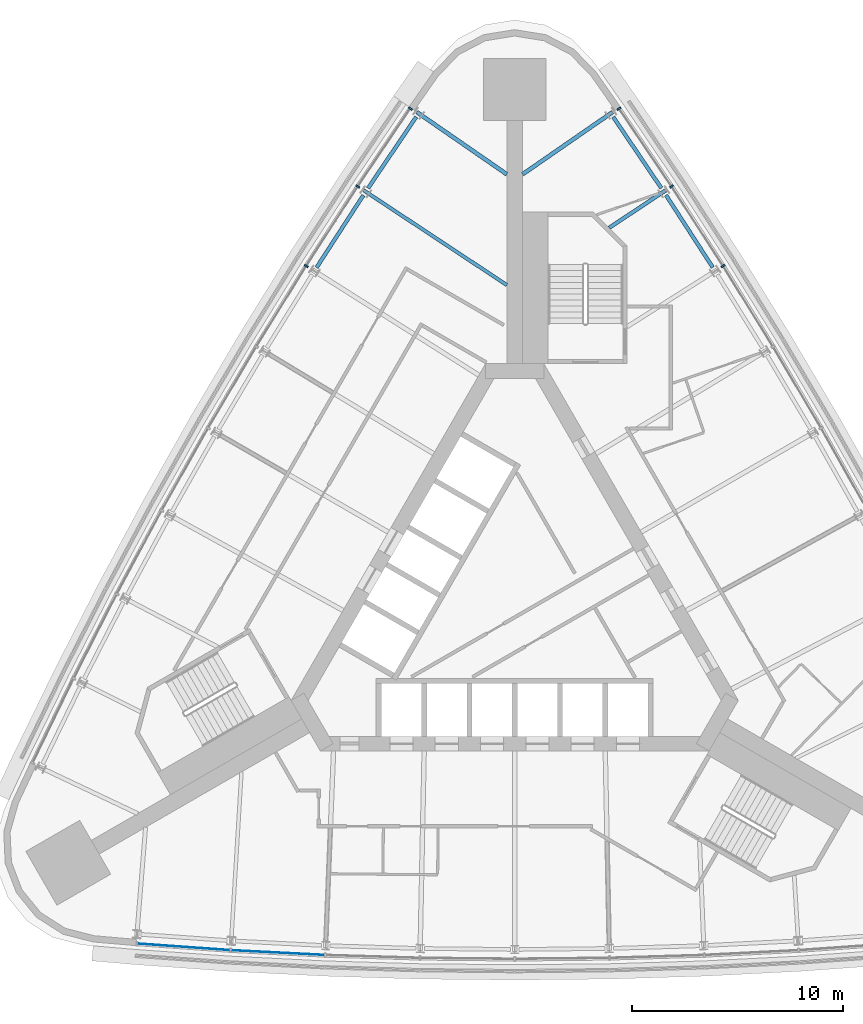
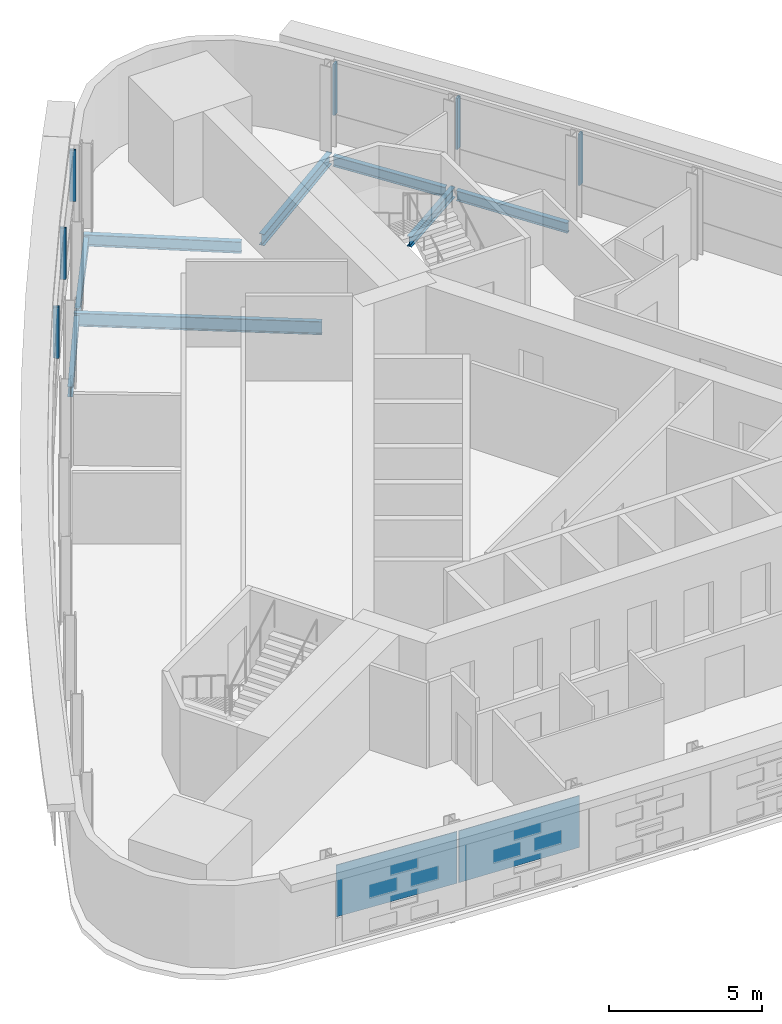
# One storey, part 5 of 11: 8 beams, 6 members, 2 plates, 3 elements without a shape of their own.
"""IFC4 building model written with IfcOpenShell, lengths in metres."""

from ifc_helpers import new_model, si_unit, direction, frame, origin, origin_2d, place, context, subcontext, project, spatial, rectangle, i_section, extrude, material, layer, layer_set, material_profile, profile_set, type_object, element, aggregate, save


model = new_model("IFC4")

# Units and contexts
model_context = context("Model", 3, precision=1e-05, world=origin(), true_north=direction((0.0, 1.0)))
body_context = subcontext(model_context, "Body", "Model", "MODEL_VIEW")
ifc_project = project(units=[si_unit("LENGTHUNIT", "METRE"), si_unit("AREAUNIT", "SQUARE_METRE"), si_unit("VOLUMEUNIT", "CUBIC_METRE"), si_unit("PLANEANGLEUNIT", "RADIAN"), si_unit("MASSUNIT", "GRAM", prefix="KILO")], contexts=[model_context])

# Site, building, storey
site_placement = place(None, origin())
site = spatial("IfcSite", under=ifc_project, at=site_placement, CompositionType="ELEMENT")
building_placement = place(site_placement, origin())
building = spatial("IfcBuilding", under=site, at=building_placement, Name="Noor Cloister Tower", CompositionType="ELEMENT")
storey_placement = place(building_placement, frame((0.0, 0.0, 116.699951171875)))
storey = spatial("IfcBuildingStorey", under=building, at=storey_placement, Name="L30", CompositionType="ELEMENT", Elevation=116.699951171875)

# Curtain wall, members
ifc_material_1 = material(Name="Aluminium 6063-T6 anodised", Category="aluminium")
curtain_wall_type = type_object("IfcCurtainWallType", Name="Ribbon curtain wall, lower tower CW1", PredefinedType="NOTDEFINED", material=ifc_material_1)
curtain_wall_1_placement = place(storey_placement, origin())
curtain_wall_1 = element("IfcCurtainWall", 1, at=curtain_wall_1_placement, inside=storey, type_object=curtain_wall_type, Name="CW1 L30 NW run 1", PredefinedType="NOTDEFINED")
ifc_material_2 = material(Name="Aluminium 6063-T6 anodised", Category="aluminium")
ifc_material_profile_1 = material_profile(ifc_material_2, rectangle(XDim=0.199951171875, YDim=0.080078125, at=origin_2d()), Name="200 x 80 mullion")
ifc_profile_set_1 = profile_set([ifc_material_profile_1], Name="Aluminium 6063-T6 anodised")
member_type = type_object("IfcMemberType", Name="Mullion CW1 80 x 200", PredefinedType="MULLION", material=ifc_profile_set_1)
member_1_placement = place(storey_placement, frame((-4.9521484375, 23.566650390625, 1.10009765625), z_axis=(0.0, 0.0, 1.0), x_axis=(0.828355501592, -0.560202787374, 0.0)))
member_1 = element("IfcMember", 2, at=member_1_placement, type_object=member_type, Name="CW1 mullion 1", PredefinedType="MULLION", context=body_context, shape_type="SweptSolid", body=[
    extrude(rectangle(XDim=0.199951171875, YDim=0.080078125, at=origin_2d()), origin(), (0.0, 0.0, 1.0), 2.050048828125),
])
member_2_placement = place(storey_placement, frame((-7.449951171875, 19.873046875, 1.10009765625), z_axis=(0.0, 0.0, 1.0), x_axis=(0.833997356538, -0.551768438105, 0.0)))
member_2 = element("IfcMember", 3, at=member_2_placement, type_object=member_type, Name="CW1 mullion 2", PredefinedType="MULLION", context=body_context, shape_type="SweptSolid", body=[
    extrude(rectangle(XDim=0.199951171875, YDim=0.080078125, at=origin_2d()), origin(), (0.0, 0.0, 1.0), 2.050048828125),
])
member_3_placement = place(storey_placement, frame((-9.8935546875, 16.096923828125, 1.10009765625), z_axis=(0.0, 0.0, 1.0), x_axis=(0.845022876611, -0.534730154381, 0.0)))
member_3 = element("IfcMember", 4, at=member_3_placement, type_object=member_type, Name="CW1 mullion 3", PredefinedType="MULLION", context=body_context, shape_type="SweptSolid", body=[
    extrude(rectangle(XDim=0.199951171875, YDim=0.080078125, at=origin_2d()), origin(), (0.0, 0.0, 1.0), 2.050048828125),
])
aggregate(curtain_wall_1, [member_1, member_2, member_3])

curtain_wall_2_placement = place(storey_placement, origin())
curtain_wall_2 = element("IfcCurtainWall", 5, at=curtain_wall_2_placement, inside=storey, type_object=curtain_wall_type, Name="CW1 L30 NE run 3", PredefinedType="NOTDEFINED")
member_4_placement = place(storey_placement, frame((9.8935546875, 16.096923828125, 1.10009765625), z_axis=(0.0, 0.0, 1.0), x_axis=(-0.845022876611, -0.534730154381, 0.0)))
member_4 = element("IfcMember", 6, at=member_4_placement, type_object=member_type, Name="CW1 mullion 7", PredefinedType="MULLION", context=body_context, shape_type="SweptSolid", body=[
    extrude(rectangle(XDim=0.199951171875, YDim=0.080078125, at=origin_2d()), origin(), (0.0, 0.0, 1.0), 2.050048828125),
])
member_5_placement = place(storey_placement, frame((7.449951171875, 19.873046875, 1.10009765625), z_axis=(0.0, 0.0, 1.0), x_axis=(-0.833997356538, -0.551768438105, 0.0)))
member_5 = element("IfcMember", 7, at=member_5_placement, type_object=member_type, Name="CW1 mullion 8", PredefinedType="MULLION", context=body_context, shape_type="SweptSolid", body=[
    extrude(rectangle(XDim=0.199951171875, YDim=0.080078125, at=origin_2d()), origin(), (0.0, 0.0, 1.0), 2.050048828125),
])
member_6_placement = place(storey_placement, frame((4.9521484375, 23.566650390625, 1.10009765625), z_axis=(0.0, 0.0, 1.0), x_axis=(-0.828355501592, -0.560202787374, 0.0)))
member_6 = element("IfcMember", 8, at=member_6_placement, type_object=member_type, Name="CW1 mullion 9", PredefinedType="MULLION", context=body_context, shape_type="SweptSolid", body=[
    extrude(rectangle(XDim=0.199951171875, YDim=0.080078125, at=origin_2d()), origin(), (0.0, 0.0, 1.0), 2.050048828125),
])
aggregate(curtain_wall_2, [member_4, member_5, member_6])

# Beams
ifc_material_3 = material(Name="Steel ASTM A992 Gr 50", Category="steel")
ifc_material_profile_2 = material_profile(ifc_material_3, i_section(OverallWidth=0.177978515625, OverallDepth=0.406005859375, WebThickness=0.0078125, FlangeThickness=0.0126953125, FilletRadius=0.01025390625, at=origin_2d()), Name="W410x60")
ifc_profile_set_2 = profile_set([ifc_material_profile_2], Name="Steel ASTM A992 Gr 50")
beam_type_1 = type_object("IfcBeamType", Name="Radial beam W410x60", PredefinedType="BEAM", material=ifc_profile_set_2)
beam_1_placement = place(storey_placement, frame((7.15869140625, 19.68017578125, -0.40283203125), z_axis=(-0.834011494553, -0.551747067916, 0.0), x_axis=(0.551747067916, -0.834011494553, 0.0)))
element("IfcBeam", 9, at=beam_1_placement, inside=storey, type_object=beam_type_1, Name="Radial beam NE 08 L30", PredefinedType="BEAM", context=body_context, shape_type="SweptSolid", body=[
    extrude(i_section(OverallWidth=0.177978515625, OverallDepth=0.406005859375, WebThickness=0.0078125, FlangeThickness=0.0126953125, FilletRadius=0.01025390625, at=origin_2d()), origin(), (0.0, 0.0, 1.0), 3.208984375),
])
ifc_material_4 = material(Name="Steel ASTM A992 Gr 50", Category="steel")
ifc_material_profile_3 = material_profile(ifc_material_4, i_section(OverallWidth=0.19091796875, OverallDepth=0.45703125, WebThickness=0.009033203125, FlangeThickness=0.014404296875, FilletRadius=0.01025390625, at=origin_2d()), Name="W460x74")
ifc_profile_set_3 = profile_set([ifc_material_profile_3], Name="Steel ASTM A992 Gr 50")
beam_type_2 = type_object("IfcBeamType", Name="Radial beam W460x74", PredefinedType="BEAM", material=ifc_profile_set_3)
for number, where, z_axis, x_axis, name in (
    (10, (-4.642822265625, 23.400146484375, -0.428466796875), (0.822637493893, -0.568566226258, 0.0), (0.568566226258, 0.822637493893, 0.0), "Radial beam NW 01 L30"),
    (11, (4.642822265625, 23.400146484375, -0.428466796875), (-0.822637493893, -0.568566226258, 0.0), (0.568566226258, -0.822637493893, 0.0), "Radial beam NE 09 L30"),
):
    element("IfcBeam", number, at=place(storey_placement, frame(where, z_axis=z_axis, x_axis=x_axis)), inside=storey, type_object=beam_type_2, Name=name, PredefinedType="BEAM", context=body_context, shape_type="SweptSolid", body=[
        extrude(i_section(OverallWidth=0.19091796875, OverallDepth=0.45703125, WebThickness=0.009033203125, FlangeThickness=0.014404296875, FilletRadius=0.01025390625, at=origin_2d()), origin(), (0.0, 0.0, 1.0), 5.18798828125),
    ])
ifc_material_5 = material(Name="Steel ASTM A992 Gr 50", Category="steel")
ifc_material_profile_4 = material_profile(ifc_material_5, i_section(OverallWidth=0.166015625, OverallDepth=0.528076171875, WebThickness=0.009765625, FlangeThickness=0.013671875, FilletRadius=0.0126953125, at=origin_2d()), Name="W530x74")
ifc_profile_set_4 = profile_set([ifc_material_profile_4], Name="Steel ASTM A992 Gr 50")
beam_type_3 = type_object("IfcBeamType", Name="Radial beam W530x74", PredefinedType="BEAM", material=ifc_profile_set_4)
beam_2_placement = place(storey_placement, frame((-7.15869140625, 19.68017578125, -0.4638671875), z_axis=(0.834012235429, -0.551745948019, 0.0), x_axis=(0.551745948019, 0.834012235429, 0.0)))
element("IfcBeam", 12, at=beam_2_placement, inside=storey, type_object=beam_type_3, Name="Radial beam NW 02 L30", PredefinedType="BEAM", context=body_context, shape_type="SweptSolid", body=[
    extrude(i_section(OverallWidth=0.166015625, OverallDepth=0.528076171875, WebThickness=0.009765625, FlangeThickness=0.013671875, FilletRadius=0.0126953125, at=origin_2d()), origin(), (0.0, 0.0, 1.0), 8.1337890625),
])
ifc_material_6 = material(Name="Steel ASTM A992 Gr 50", Category="steel")
ifc_material_profile_5 = material_profile(ifc_material_6, i_section(OverallWidth=0.177978515625, OverallDepth=0.406005859375, WebThickness=0.0078125, FlangeThickness=0.0126953125, FilletRadius=0.01025390625, at=origin_2d()), Name="W410x60")
ifc_profile_set_5 = profile_set([ifc_material_profile_5], Name="Steel ASTM A992 Gr 50")
beam_type_4 = type_object("IfcBeamType", Name="Spandrel beam W410x60", PredefinedType="SPANDREL", material=ifc_profile_set_5)
for number, where, z_axis, x_axis, name in (
    (13, (-4.67236328125, 23.177001953125, -0.40283203125), (-0.560200904677, -0.828356774826, 0.0), (0.828356774826, -0.560200904677, 0.0), "Spandrel beam NW 01 L30"),
    (14, (-7.18359375, 19.45654296875, -0.40283203125), (-0.543305756607, -0.839534903883, 0.0), (0.839534903883, -0.543305756607, 0.0), "Spandrel beam NW 02 L30"),
    (15, (9.404541015625, 16.024658203125, -0.40283203125), (-0.543305756607, 0.839534903883, 0.0), (-0.839534903883, -0.543305756607, 0.0), "Spandrel beam NE 07 L30"),
    (16, (6.96240234375, 19.790771484375, -0.40283203125), (-0.560200904677, 0.828356774826, 0.0), (-0.828356774826, -0.560200904677, 0.0), "Spandrel beam NE 08 L30"),
):
    element("IfcBeam", number, at=place(storey_placement, frame(where, z_axis=z_axis, x_axis=x_axis)), inside=storey, type_object=beam_type_4, Name=name, PredefinedType="SPANDREL", context=body_context, shape_type="SweptSolid", body=[
        extrude(i_section(OverallWidth=0.177978515625, OverallDepth=0.406005859375, WebThickness=0.0078125, FlangeThickness=0.0126953125, FilletRadius=0.01025390625, at=origin_2d()), origin(), (0.0, 0.0, 1.0), 4.087890625),
    ])

# Curtain wall, plates
curtain_wall_3_placement = place(storey_placement, origin())
curtain_wall_3 = element("IfcCurtainWall", 17, at=curtain_wall_3_placement, inside=storey, type_object=curtain_wall_type, Name="CW1 L30 S run 2", PredefinedType="NOTDEFINED")
ifc_material_7 = material(Name="Clear laminated glass 2 x 8 mm", Category="glass")
ifc_layer = layer(ifc_material_7, 0.028076171875)
ifc_layer_set = layer_set([ifc_layer], Name="Glass panel CW1")
plate_type = type_object("IfcPlateType", Name="Glass panel CW1", PredefinedType="CURTAIN_PANEL", material=ifc_layer_set)
plate_1_placement = place(storey_placement, frame((-15.70947265625, -16.230224609375, 1.08984375), z_axis=(0.0, 0.0, 1.0), x_axis=(0.997478301431, -0.070972094341, 0.0)))
plate_1 = element("IfcPlate", 18, at=plate_1_placement, type_object=plate_type, Name="CW1 glass panel 1", PredefinedType="CURTAIN_PANEL", context=body_context, shape_type="SweptSolid", body=[
    extrude(rectangle(XDim=4.39892578125, YDim=0.028076171875, at=origin_2d()), origin(), (0.0, 0.0, 1.0), 2.070068359375),
])
plate_2_placement = place(storey_placement, frame((-11.239501953125, -16.50244140625, 1.08984375), z_axis=(0.0, 0.0, 1.0), x_axis=(0.998713153589, -0.050715252611, 0.0)))
plate_2 = element("IfcPlate", 19, at=plate_2_placement, type_object=plate_type, Name="CW1 glass panel 2", PredefinedType="CURTAIN_PANEL", context=body_context, shape_type="SweptSolid", body=[
    extrude(rectangle(XDim=4.43798828125, YDim=0.028076171875, at=origin_2d()), origin(), (0.0, 0.0, 1.0), 2.070068359375),
])
aggregate(curtain_wall_3, [plate_1, plate_2])

save(model, "model.ifc")
